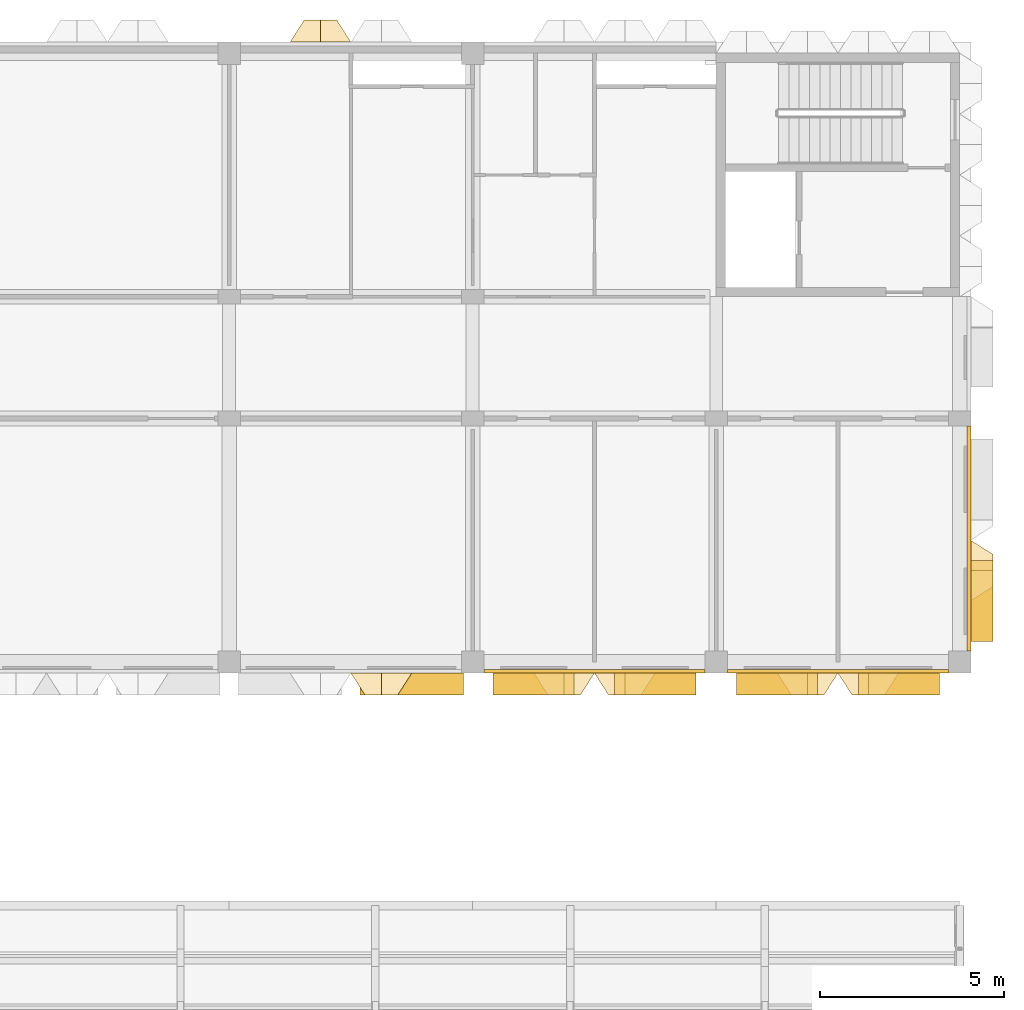
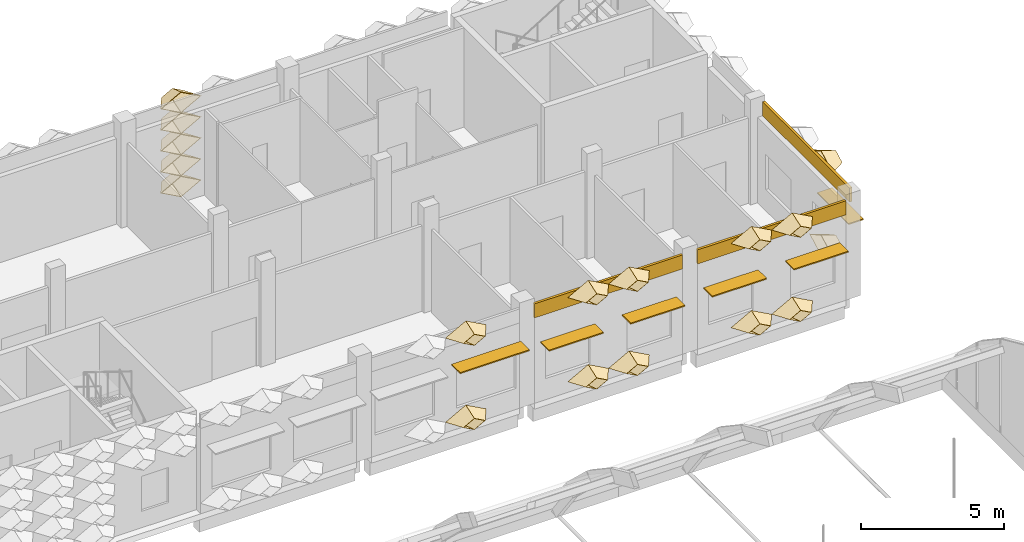
# One storey, part 97 of 102: 20 coverings, 6 shading devices.
"""IFC4 building model written with IfcOpenShell, lengths in metres."""

from ifc_helpers import new_model, entity, si_unit, direction, frame, frame_2d, origin, origin_2d, place, context, subcontext, project, spatial, rectangle, extrude, material, layer, layer_set, type_object, element, save


model = new_model("IFC4")

# Units and contexts
model_context = context("Model", 3, precision=1e-05, world=origin(), true_north=direction((0.0, 1.0)))
body_context = subcontext(model_context, "Body", "Model", "MODEL_VIEW")
ifc_project = project(units=[si_unit("LENGTHUNIT", "METRE"), si_unit("AREAUNIT", "SQUARE_METRE"), si_unit("VOLUMEUNIT", "CUBIC_METRE"), si_unit("PLANEANGLEUNIT", "RADIAN"), si_unit("MASSUNIT", "GRAM", prefix="KILO")], contexts=[model_context])

# Site, building, storey
site_placement = place(None, origin())
site = spatial("IfcSite", under=ifc_project, at=site_placement, CompositionType="ELEMENT")
building_placement = place(site_placement, origin())
building = spatial("IfcBuilding", under=site, at=building_placement, Name="Lantern Court Research Institute", CompositionType="ELEMENT")
storey_placement = place(building_placement, frame((0.0, 0.0, 9.89990234375)))
storey = spatial("IfcBuildingStorey", under=building, at=storey_placement, Name="L02", CompositionType="ELEMENT", Elevation=9.89990234375)

# Shading devices
ifc_material_1 = material(Name="Aluminium alloy 6063-T6", Category="aluminium")
ifc_layer_1 = layer(ifc_material_1, 0.050048828125)
ifc_layer_set_1 = layer_set([ifc_layer_1], Name="Aluminium alloy 6063-T6")
shading_device_type_1 = type_object("IfcShadingDeviceType", Name="Brise-soleil blade 2200 x 600 x 50 aluminium", PredefinedType="USERDEFINED", material=ifc_layer_set_1)
for number, where, z_axis, x_axis, name in (
    (1, (79.800048828125, 84.14990234375, 2.5), (0.0, 0.0, 1.0), (0.0, -1.0, 0.0), "Brise-soleil blade L02 E"),
    (2, (67.64990234375, 81.89990234375, 2.5), (0.0, 0.0, 1.0), (-1.0, 0.0, 0.0), "Brise-soleil blade L02 S"),
    (3, (70.949951171875, 81.89990234375, 2.5), (0.0, 0.0, 1.0), (-1.0, 0.0, 0.0), "Brise-soleil blade L02 S"),
    (4, (74.25, 81.89990234375, 2.5), (0.0, 0.0, 1.0), (-1.0, 0.0, 0.0), "Brise-soleil blade L02 S"),
    (5, (77.550048828125, 81.89990234375, 2.5), (0.0, 0.0, 1.0), (-1.0, 0.0, 0.0), "Brise-soleil blade L02 S"),
):
    element("IfcShadingDevice", number, at=place(storey_placement, frame(where, z_axis=z_axis, x_axis=x_axis)), inside=storey, type_object=shading_device_type_1, Name=name, ObjectType="LOUVRE", PredefinedType="USERDEFINED", context=body_context, shape_type="SweptSolid", body=[
        extrude(rectangle(XDim=2.199951171875, YDim=0.60009765625, at=origin_2d()), origin(), (0.0, 0.0, 1.0), 0.050048828125),
    ])
ifc_material_2 = material(Name="Aluminium alloy 6063-T6", Category="aluminium")
ifc_layer_2 = layer(ifc_material_2, 0.050048828125)
ifc_layer_set_2 = layer_set([ifc_layer_2], Name="Aluminium alloy 6063-T6")
shading_device_type_2 = type_object("IfcShadingDeviceType", Name="Brise-soleil blade 2800 x 600 x 50 aluminium", PredefinedType="USERDEFINED", material=ifc_layer_set_2)
shading_device_placement = place(storey_placement, frame((64.35009765625, 81.89990234375, 2.80029296875), z_axis=(0.0, 0.0, 1.0), x_axis=(-1.0, 0.0, 0.0)))
element("IfcShadingDevice", 6, at=shading_device_placement, inside=storey, type_object=shading_device_type_2, Name="Brise-soleil blade L02 S", ObjectType="LOUVRE", PredefinedType="USERDEFINED", context=body_context, shape_type="SweptSolid", body=[
    extrude(rectangle(XDim=2.800048828125, YDim=0.60009765625, at=origin_2d()), origin(), (0.0, 0.0, 1.0), 0.050048828125),
])

# Coverings
ifc_material_3 = material(Name="Aluminium composite panel with mineral wool insulation", Category="aluminium")
ifc_layer_3 = layer(ifc_material_3, 0.10009765625)
ifc_layer_set_3 = layer_set([ifc_layer_3], Name="Aluminium composite panel with mineral wool insulation")
covering_type_1 = type_object("IfcCoveringType", Name="Edge fascia panel 100 aluminium faced", PredefinedType="CLADDING", material=ifc_layer_set_3)
covering_1_placement = place(storey_placement, frame((79.449951171875, 88.89990234375, 3.650146484375), z_axis=(0.0, 0.0, 1.0), x_axis=(0.0, -1.0, 0.0)))
element("IfcCovering", 7, at=covering_1_placement, inside=storey, type_object=covering_type_1, Name="Edge fascia V6E L02 01", PredefinedType="CLADDING", context=body_context, shape_type="SweptSolid", body=[
    extrude(rectangle(XDim=6.099853515625, YDim=0.10009765625, at=frame_2d((3.0498046875, 0.0))), origin(), (0.0, 0.0, 1.0), 0.599853515625),
])
for number, where, z_axis, x_axis, name in (
    (8, (72.300048828125, 82.25, 3.650146484375), (0.0, 0.0, 1.0), (-1.0, 0.0, 0.0), "Edge fascia V6S L02 09"),
    (9, (78.89990234375, 82.25, 3.650146484375), (0.0, 0.0, 1.0), (-1.0, 0.0, 0.0), "Edge fascia V6S L02 10"),
):
    element("IfcCovering", number, at=place(storey_placement, frame(where, z_axis=z_axis, x_axis=x_axis)), inside=storey, type_object=covering_type_1, Name=name, PredefinedType="CLADDING", context=body_context, shape_type="SweptSolid", body=[
        extrude(rectangle(XDim=6.0, YDim=0.10009765625, at=frame_2d((3.0, 0.0))), origin(), (0.0, 0.0, 1.0), 0.599853515625),
    ])
ifc_material_4 = material(Name="Anodised aluminium", Category="aluminium")
ifc_layer_4 = layer(ifc_material_4, 0.01611328125)
ifc_layer_set_4 = layer_set([ifc_layer_4], Name="Anodised aluminium")
covering_type_2 = type_object("IfcCoveringType", Name="Fin cassette 1650 x 900 x 600 aluminium", PredefinedType="CLADDING", material=ifc_layer_set_4)
covering_2_placement = place(storey_placement, frame((79.5, 84.97509765625, 0.4501953125), z_axis=(1.0, 0.0, 0.0), x_axis=(0.0, 1.0, 0.0)))
cartesian_point_1 = entity("IfcCartesianPoint", [0.824951171875, 0.0])
cartesian_point_2 = entity("IfcCartesianPoint", [0.79150390625, 0.0])
cartesian_point_3 = entity("IfcCartesianPoint", [0.44189453125, 0.0])
cartesian_point_4 = entity("IfcCartesianPoint", [0.43359375, 0.0])
element("IfcCovering", 10, at=covering_2_placement, inside=storey, type_object=covering_type_2, Name="Fin cassette V6E-L02 1.52", PredefinedType="CLADDING", context=body_context, shape_type="SweptSolid", body=[
    entity("IfcExtrudedAreaSolidTapered", entity("IfcArbitraryProfileDefWithVoids", "AREA", None, entity("IfcPolyline", [cartesian_point_1, entity("IfcCartesianPoint", [0.0, 0.449951171875]), entity("IfcCartesianPoint", [-0.824951171875, 0.0]), entity("IfcCartesianPoint", [0.0, -0.449951171875]), cartesian_point_1]), [entity("IfcPolyline", [cartesian_point_2, entity("IfcCartesianPoint", [0.0, 0.431884765625]), entity("IfcCartesianPoint", [-0.79150390625, 0.0]), entity("IfcCartesianPoint", [0.0, -0.431884765625]), cartesian_point_2])]), entity("IfcAxis2Placement3D", entity("IfcCartesianPoint", [0.0, 0.0, 0.0])), entity("IfcDirection", [0.0, 0.0, 1.0]), 0.60009765625, entity("IfcArbitraryProfileDefWithVoids", "AREA", None, entity("IfcPolyline", [cartesian_point_3, entity("IfcCartesianPoint", [0.0, 0.240966796875]), entity("IfcCartesianPoint", [-0.44189453125, 0.0]), entity("IfcCartesianPoint", [0.0, -0.240966796875]), cartesian_point_3]), [entity("IfcPolyline", [cartesian_point_4, entity("IfcCartesianPoint", [0.0, 0.236572265625]), entity("IfcCartesianPoint", [-0.43359375, 0.0]), entity("IfcCartesianPoint", [0.0, -0.236572265625]), cartesian_point_4])])),
])
covering_3_placement = place(storey_placement, frame((79.5, 84.97509765625, 4.050048828125), z_axis=(1.0, 0.0, 0.0), x_axis=(0.0, 1.0, 0.0)))
cartesian_point_5 = entity("IfcCartesianPoint", [0.824951171875, 0.0])
cartesian_point_6 = entity("IfcCartesianPoint", [0.79150390625, 0.0])
cartesian_point_7 = entity("IfcCartesianPoint", [0.44189453125, 0.0])
cartesian_point_8 = entity("IfcCartesianPoint", [0.43359375, 0.0])
element("IfcCovering", 11, at=covering_3_placement, inside=storey, type_object=covering_type_2, Name="Fin cassette V6E-L02 5.52", PredefinedType="CLADDING", context=body_context, shape_type="SweptSolid", body=[
    entity("IfcExtrudedAreaSolidTapered", entity("IfcArbitraryProfileDefWithVoids", "AREA", None, entity("IfcPolyline", [cartesian_point_5, entity("IfcCartesianPoint", [0.0, 0.449951171875]), entity("IfcCartesianPoint", [-0.824951171875, 0.0]), entity("IfcCartesianPoint", [0.0, -0.449951171875]), cartesian_point_5]), [entity("IfcPolyline", [cartesian_point_6, entity("IfcCartesianPoint", [0.0, 0.431884765625]), entity("IfcCartesianPoint", [-0.79150390625, 0.0]), entity("IfcCartesianPoint", [0.0, -0.431884765625]), cartesian_point_6])]), entity("IfcAxis2Placement3D", entity("IfcCartesianPoint", [0.0, 0.0, 0.0])), entity("IfcDirection", [0.0, 0.0, 1.0]), 0.60009765625, entity("IfcArbitraryProfileDefWithVoids", "AREA", None, entity("IfcPolyline", [cartesian_point_7, entity("IfcCartesianPoint", [0.0, 0.240966796875]), entity("IfcCartesianPoint", [-0.44189453125, 0.0]), entity("IfcCartesianPoint", [0.0, -0.240966796875]), cartesian_point_7]), [entity("IfcPolyline", [cartesian_point_8, entity("IfcCartesianPoint", [0.0, 0.236572265625]), entity("IfcCartesianPoint", [-0.43359375, 0.0]), entity("IfcCartesianPoint", [0.0, -0.236572265625]), cartesian_point_8])])),
])
covering_4_placement = place(storey_placement, frame((61.875, 99.300048828125, 0.4501953125), z_axis=(0.0, 1.0, 0.0), x_axis=(-1.0, 0.0, 0.0)))
cartesian_point_9 = entity("IfcCartesianPoint", [0.824951171875, 0.0])
cartesian_point_10 = entity("IfcCartesianPoint", [0.79150390625, 0.0])
cartesian_point_11 = entity("IfcCartesianPoint", [0.44189453125, 0.0])
cartesian_point_12 = entity("IfcCartesianPoint", [0.43359375, 0.0])
element("IfcCovering", 12, at=covering_4_placement, inside=storey, type_object=covering_type_2, Name="Fin cassette V6N-L02 1.38", PredefinedType="CLADDING", context=body_context, shape_type="SweptSolid", body=[
    entity("IfcExtrudedAreaSolidTapered", entity("IfcArbitraryProfileDefWithVoids", "AREA", None, entity("IfcPolyline", [cartesian_point_9, entity("IfcCartesianPoint", [0.0, 0.449951171875]), entity("IfcCartesianPoint", [-0.824951171875, 0.0]), entity("IfcCartesianPoint", [0.0, -0.449951171875]), cartesian_point_9]), [entity("IfcPolyline", [cartesian_point_10, entity("IfcCartesianPoint", [0.0, 0.431884765625]), entity("IfcCartesianPoint", [-0.79150390625, 0.0]), entity("IfcCartesianPoint", [0.0, -0.431884765625]), cartesian_point_10])]), entity("IfcAxis2Placement3D", entity("IfcCartesianPoint", [0.0, 0.0, 0.0])), entity("IfcDirection", [0.0, 0.0, 1.0]), 0.60009765625, entity("IfcArbitraryProfileDefWithVoids", "AREA", None, entity("IfcPolyline", [cartesian_point_11, entity("IfcCartesianPoint", [0.0, 0.240966796875]), entity("IfcCartesianPoint", [-0.44189453125, 0.0]), entity("IfcCartesianPoint", [0.0, -0.240966796875]), cartesian_point_11]), [entity("IfcPolyline", [cartesian_point_12, entity("IfcCartesianPoint", [0.0, 0.236572265625]), entity("IfcCartesianPoint", [-0.43359375, 0.0]), entity("IfcCartesianPoint", [0.0, -0.236572265625]), cartesian_point_12])])),
])
covering_5_placement = place(storey_placement, frame((61.875, 99.300048828125, 1.35009765625), z_axis=(0.0, 1.0, 0.0), x_axis=(-1.0, 0.0, 0.0)))
cartesian_point_13 = entity("IfcCartesianPoint", [0.824951171875, 0.0])
cartesian_point_14 = entity("IfcCartesianPoint", [0.79150390625, 0.0])
cartesian_point_15 = entity("IfcCartesianPoint", [0.44189453125, 0.0])
cartesian_point_16 = entity("IfcCartesianPoint", [0.43359375, 0.0])
element("IfcCovering", 13, at=covering_5_placement, inside=storey, type_object=covering_type_2, Name="Fin cassette V6N-L02 2.38", PredefinedType="CLADDING", context=body_context, shape_type="SweptSolid", body=[
    entity("IfcExtrudedAreaSolidTapered", entity("IfcArbitraryProfileDefWithVoids", "AREA", None, entity("IfcPolyline", [cartesian_point_13, entity("IfcCartesianPoint", [0.0, 0.449951171875]), entity("IfcCartesianPoint", [-0.824951171875, 0.0]), entity("IfcCartesianPoint", [0.0, -0.449951171875]), cartesian_point_13]), [entity("IfcPolyline", [cartesian_point_14, entity("IfcCartesianPoint", [0.0, 0.431884765625]), entity("IfcCartesianPoint", [-0.79150390625, 0.0]), entity("IfcCartesianPoint", [0.0, -0.431884765625]), cartesian_point_14])]), entity("IfcAxis2Placement3D", entity("IfcCartesianPoint", [0.0, 0.0, 0.0])), entity("IfcDirection", [0.0, 0.0, 1.0]), 0.60009765625, entity("IfcArbitraryProfileDefWithVoids", "AREA", None, entity("IfcPolyline", [cartesian_point_15, entity("IfcCartesianPoint", [0.0, 0.240966796875]), entity("IfcCartesianPoint", [-0.44189453125, 0.0]), entity("IfcCartesianPoint", [0.0, -0.240966796875]), cartesian_point_15]), [entity("IfcPolyline", [cartesian_point_16, entity("IfcCartesianPoint", [0.0, 0.236572265625]), entity("IfcCartesianPoint", [-0.43359375, 0.0]), entity("IfcCartesianPoint", [0.0, -0.236572265625]), cartesian_point_16])])),
])
covering_6_placement = place(storey_placement, frame((61.875, 99.300048828125, 2.25), z_axis=(0.0, 1.0, 0.0), x_axis=(-1.0, 0.0, 0.0)))
cartesian_point_17 = entity("IfcCartesianPoint", [0.824951171875, 0.0])
cartesian_point_18 = entity("IfcCartesianPoint", [0.79150390625, 0.0])
cartesian_point_19 = entity("IfcCartesianPoint", [0.44189453125, 0.0])
cartesian_point_20 = entity("IfcCartesianPoint", [0.43359375, 0.0])
element("IfcCovering", 14, at=covering_6_placement, inside=storey, type_object=covering_type_2, Name="Fin cassette V6N-L02 3.38", PredefinedType="CLADDING", context=body_context, shape_type="SweptSolid", body=[
    entity("IfcExtrudedAreaSolidTapered", entity("IfcArbitraryProfileDefWithVoids", "AREA", None, entity("IfcPolyline", [cartesian_point_17, entity("IfcCartesianPoint", [0.0, 0.449951171875]), entity("IfcCartesianPoint", [-0.824951171875, 0.0]), entity("IfcCartesianPoint", [0.0, -0.449951171875]), cartesian_point_17]), [entity("IfcPolyline", [cartesian_point_18, entity("IfcCartesianPoint", [0.0, 0.431884765625]), entity("IfcCartesianPoint", [-0.79150390625, 0.0]), entity("IfcCartesianPoint", [0.0, -0.431884765625]), cartesian_point_18])]), entity("IfcAxis2Placement3D", entity("IfcCartesianPoint", [0.0, 0.0, 0.0])), entity("IfcDirection", [0.0, 0.0, 1.0]), 0.60009765625, entity("IfcArbitraryProfileDefWithVoids", "AREA", None, entity("IfcPolyline", [cartesian_point_19, entity("IfcCartesianPoint", [0.0, 0.240966796875]), entity("IfcCartesianPoint", [-0.44189453125, 0.0]), entity("IfcCartesianPoint", [0.0, -0.240966796875]), cartesian_point_19]), [entity("IfcPolyline", [cartesian_point_20, entity("IfcCartesianPoint", [0.0, 0.236572265625]), entity("IfcCartesianPoint", [-0.43359375, 0.0]), entity("IfcCartesianPoint", [0.0, -0.236572265625]), cartesian_point_20])])),
])
covering_7_placement = place(storey_placement, frame((61.875, 99.300048828125, 3.150146484375), z_axis=(0.0, 1.0, 0.0), x_axis=(-1.0, 0.0, 0.0)))
cartesian_point_21 = entity("IfcCartesianPoint", [0.824951171875, 0.0])
cartesian_point_22 = entity("IfcCartesianPoint", [0.79150390625, 0.0])
cartesian_point_23 = entity("IfcCartesianPoint", [0.44189453125, 0.0])
cartesian_point_24 = entity("IfcCartesianPoint", [0.43359375, 0.0])
element("IfcCovering", 15, at=covering_7_placement, inside=storey, type_object=covering_type_2, Name="Fin cassette V6N-L02 4.38", PredefinedType="CLADDING", context=body_context, shape_type="SweptSolid", body=[
    entity("IfcExtrudedAreaSolidTapered", entity("IfcArbitraryProfileDefWithVoids", "AREA", None, entity("IfcPolyline", [cartesian_point_21, entity("IfcCartesianPoint", [0.0, 0.449951171875]), entity("IfcCartesianPoint", [-0.824951171875, 0.0]), entity("IfcCartesianPoint", [0.0, -0.449951171875]), cartesian_point_21]), [entity("IfcPolyline", [cartesian_point_22, entity("IfcCartesianPoint", [0.0, 0.431884765625]), entity("IfcCartesianPoint", [-0.79150390625, 0.0]), entity("IfcCartesianPoint", [0.0, -0.431884765625]), cartesian_point_22])]), entity("IfcAxis2Placement3D", entity("IfcCartesianPoint", [0.0, 0.0, 0.0])), entity("IfcDirection", [0.0, 0.0, 1.0]), 0.60009765625, entity("IfcArbitraryProfileDefWithVoids", "AREA", None, entity("IfcPolyline", [cartesian_point_23, entity("IfcCartesianPoint", [0.0, 0.240966796875]), entity("IfcCartesianPoint", [-0.44189453125, 0.0]), entity("IfcCartesianPoint", [0.0, -0.240966796875]), cartesian_point_23]), [entity("IfcPolyline", [cartesian_point_24, entity("IfcCartesianPoint", [0.0, 0.236572265625]), entity("IfcCartesianPoint", [-0.43359375, 0.0]), entity("IfcCartesianPoint", [0.0, -0.236572265625]), cartesian_point_24])])),
])
covering_8_placement = place(storey_placement, frame((61.875, 99.300048828125, 4.050048828125), z_axis=(0.0, 1.0, 0.0), x_axis=(-1.0, 0.0, 0.0)))
cartesian_point_25 = entity("IfcCartesianPoint", [0.824951171875, 0.0])
cartesian_point_26 = entity("IfcCartesianPoint", [0.79150390625, 0.0])
cartesian_point_27 = entity("IfcCartesianPoint", [0.44189453125, 0.0])
cartesian_point_28 = entity("IfcCartesianPoint", [0.43359375, 0.0])
element("IfcCovering", 16, at=covering_8_placement, inside=storey, type_object=covering_type_2, Name="Fin cassette V6N-L02 5.38", PredefinedType="CLADDING", context=body_context, shape_type="SweptSolid", body=[
    entity("IfcExtrudedAreaSolidTapered", entity("IfcArbitraryProfileDefWithVoids", "AREA", None, entity("IfcPolyline", [cartesian_point_25, entity("IfcCartesianPoint", [0.0, 0.449951171875]), entity("IfcCartesianPoint", [-0.824951171875, 0.0]), entity("IfcCartesianPoint", [0.0, -0.449951171875]), cartesian_point_25]), [entity("IfcPolyline", [cartesian_point_26, entity("IfcCartesianPoint", [0.0, 0.431884765625]), entity("IfcCartesianPoint", [-0.79150390625, 0.0]), entity("IfcCartesianPoint", [0.0, -0.431884765625]), cartesian_point_26])]), entity("IfcAxis2Placement3D", entity("IfcCartesianPoint", [0.0, 0.0, 0.0])), entity("IfcDirection", [0.0, 0.0, 1.0]), 0.60009765625, entity("IfcArbitraryProfileDefWithVoids", "AREA", None, entity("IfcPolyline", [cartesian_point_27, entity("IfcCartesianPoint", [0.0, 0.240966796875]), entity("IfcCartesianPoint", [-0.44189453125, 0.0]), entity("IfcCartesianPoint", [0.0, -0.240966796875]), cartesian_point_27]), [entity("IfcPolyline", [cartesian_point_28, entity("IfcCartesianPoint", [0.0, 0.236572265625]), entity("IfcCartesianPoint", [-0.43359375, 0.0]), entity("IfcCartesianPoint", [0.0, -0.236572265625]), cartesian_point_28])])),
])
covering_9_placement = place(storey_placement, frame((63.52490234375, 82.199951171875, 0.4501953125), z_axis=(0.0, -1.0, 0.0), x_axis=(1.0, 0.0, 0.0)))
cartesian_point_29 = entity("IfcCartesianPoint", [0.824951171875, 0.0])
cartesian_point_30 = entity("IfcCartesianPoint", [0.79150390625, 0.0])
cartesian_point_31 = entity("IfcCartesianPoint", [0.44189453125, 0.0])
cartesian_point_32 = entity("IfcCartesianPoint", [0.43359375, 0.0])
element("IfcCovering", 17, at=covering_9_placement, inside=storey, type_object=covering_type_2, Name="Fin cassette V6S-L02 1.39", PredefinedType="CLADDING", context=body_context, shape_type="SweptSolid", body=[
    entity("IfcExtrudedAreaSolidTapered", entity("IfcArbitraryProfileDefWithVoids", "AREA", None, entity("IfcPolyline", [cartesian_point_29, entity("IfcCartesianPoint", [0.0, 0.449951171875]), entity("IfcCartesianPoint", [-0.824951171875, 0.0]), entity("IfcCartesianPoint", [0.0, -0.449951171875]), cartesian_point_29]), [entity("IfcPolyline", [cartesian_point_30, entity("IfcCartesianPoint", [0.0, 0.431884765625]), entity("IfcCartesianPoint", [-0.79150390625, 0.0]), entity("IfcCartesianPoint", [0.0, -0.431884765625]), cartesian_point_30])]), entity("IfcAxis2Placement3D", entity("IfcCartesianPoint", [0.0, 0.0, 0.0])), entity("IfcDirection", [0.0, 0.0, 1.0]), 0.60009765625, entity("IfcArbitraryProfileDefWithVoids", "AREA", None, entity("IfcPolyline", [cartesian_point_31, entity("IfcCartesianPoint", [0.0, 0.240966796875]), entity("IfcCartesianPoint", [-0.44189453125, 0.0]), entity("IfcCartesianPoint", [0.0, -0.240966796875]), cartesian_point_31]), [entity("IfcPolyline", [cartesian_point_32, entity("IfcCartesianPoint", [0.0, 0.236572265625]), entity("IfcCartesianPoint", [-0.43359375, 0.0]), entity("IfcCartesianPoint", [0.0, -0.236572265625]), cartesian_point_32])])),
])
covering_10_placement = place(storey_placement, frame((68.47509765625, 82.199951171875, 0.4501953125), z_axis=(0.0, -1.0, 0.0), x_axis=(1.0, 0.0, 0.0)))
cartesian_point_33 = entity("IfcCartesianPoint", [0.824951171875, 0.0])
cartesian_point_34 = entity("IfcCartesianPoint", [0.79150390625, 0.0])
cartesian_point_35 = entity("IfcCartesianPoint", [0.44189453125, 0.0])
cartesian_point_36 = entity("IfcCartesianPoint", [0.43359375, 0.0])
element("IfcCovering", 18, at=covering_10_placement, inside=storey, type_object=covering_type_2, Name="Fin cassette V6S-L02 1.42", PredefinedType="CLADDING", context=body_context, shape_type="SweptSolid", body=[
    entity("IfcExtrudedAreaSolidTapered", entity("IfcArbitraryProfileDefWithVoids", "AREA", None, entity("IfcPolyline", [cartesian_point_33, entity("IfcCartesianPoint", [0.0, 0.449951171875]), entity("IfcCartesianPoint", [-0.824951171875, 0.0]), entity("IfcCartesianPoint", [0.0, -0.449951171875]), cartesian_point_33]), [entity("IfcPolyline", [cartesian_point_34, entity("IfcCartesianPoint", [0.0, 0.431884765625]), entity("IfcCartesianPoint", [-0.79150390625, 0.0]), entity("IfcCartesianPoint", [0.0, -0.431884765625]), cartesian_point_34])]), entity("IfcAxis2Placement3D", entity("IfcCartesianPoint", [0.0, 0.0, 0.0])), entity("IfcDirection", [0.0, 0.0, 1.0]), 0.60009765625, entity("IfcArbitraryProfileDefWithVoids", "AREA", None, entity("IfcPolyline", [cartesian_point_35, entity("IfcCartesianPoint", [0.0, 0.240966796875]), entity("IfcCartesianPoint", [-0.44189453125, 0.0]), entity("IfcCartesianPoint", [0.0, -0.240966796875]), cartesian_point_35]), [entity("IfcPolyline", [cartesian_point_36, entity("IfcCartesianPoint", [0.0, 0.236572265625]), entity("IfcCartesianPoint", [-0.43359375, 0.0]), entity("IfcCartesianPoint", [0.0, -0.236572265625]), cartesian_point_36])])),
])
covering_11_placement = place(storey_placement, frame((70.125, 82.199951171875, 0.4501953125), z_axis=(0.0, -1.0, 0.0), x_axis=(1.0, 0.0, 0.0)))
cartesian_point_37 = entity("IfcCartesianPoint", [0.824951171875, 0.0])
cartesian_point_38 = entity("IfcCartesianPoint", [0.79150390625, 0.0])
cartesian_point_39 = entity("IfcCartesianPoint", [0.44189453125, 0.0])
cartesian_point_40 = entity("IfcCartesianPoint", [0.43359375, 0.0])
element("IfcCovering", 19, at=covering_11_placement, inside=storey, type_object=covering_type_2, Name="Fin cassette V6S-L02 1.43", PredefinedType="CLADDING", context=body_context, shape_type="SweptSolid", body=[
    entity("IfcExtrudedAreaSolidTapered", entity("IfcArbitraryProfileDefWithVoids", "AREA", None, entity("IfcPolyline", [cartesian_point_37, entity("IfcCartesianPoint", [0.0, 0.449951171875]), entity("IfcCartesianPoint", [-0.824951171875, 0.0]), entity("IfcCartesianPoint", [0.0, -0.449951171875]), cartesian_point_37]), [entity("IfcPolyline", [cartesian_point_38, entity("IfcCartesianPoint", [0.0, 0.431884765625]), entity("IfcCartesianPoint", [-0.79150390625, 0.0]), entity("IfcCartesianPoint", [0.0, -0.431884765625]), cartesian_point_38])]), entity("IfcAxis2Placement3D", entity("IfcCartesianPoint", [0.0, 0.0, 0.0])), entity("IfcDirection", [0.0, 0.0, 1.0]), 0.60009765625, entity("IfcArbitraryProfileDefWithVoids", "AREA", None, entity("IfcPolyline", [cartesian_point_39, entity("IfcCartesianPoint", [0.0, 0.240966796875]), entity("IfcCartesianPoint", [-0.44189453125, 0.0]), entity("IfcCartesianPoint", [0.0, -0.240966796875]), cartesian_point_39]), [entity("IfcPolyline", [cartesian_point_40, entity("IfcCartesianPoint", [0.0, 0.236572265625]), entity("IfcCartesianPoint", [-0.43359375, 0.0]), entity("IfcCartesianPoint", [0.0, -0.236572265625]), cartesian_point_40])])),
])
covering_12_placement = place(storey_placement, frame((75.074951171875, 82.199951171875, 0.4501953125), z_axis=(0.0, -1.0, 0.0), x_axis=(1.0, 0.0, 0.0)))
cartesian_point_41 = entity("IfcCartesianPoint", [0.824951171875, 0.0])
cartesian_point_42 = entity("IfcCartesianPoint", [0.79150390625, 0.0])
cartesian_point_43 = entity("IfcCartesianPoint", [0.44189453125, 0.0])
cartesian_point_44 = entity("IfcCartesianPoint", [0.43359375, 0.0])
element("IfcCovering", 20, at=covering_12_placement, inside=storey, type_object=covering_type_2, Name="Fin cassette V6S-L02 1.46", PredefinedType="CLADDING", context=body_context, shape_type="SweptSolid", body=[
    entity("IfcExtrudedAreaSolidTapered", entity("IfcArbitraryProfileDefWithVoids", "AREA", None, entity("IfcPolyline", [cartesian_point_41, entity("IfcCartesianPoint", [0.0, 0.449951171875]), entity("IfcCartesianPoint", [-0.824951171875, 0.0]), entity("IfcCartesianPoint", [0.0, -0.449951171875]), cartesian_point_41]), [entity("IfcPolyline", [cartesian_point_42, entity("IfcCartesianPoint", [0.0, 0.431884765625]), entity("IfcCartesianPoint", [-0.79150390625, 0.0]), entity("IfcCartesianPoint", [0.0, -0.431884765625]), cartesian_point_42])]), entity("IfcAxis2Placement3D", entity("IfcCartesianPoint", [0.0, 0.0, 0.0])), entity("IfcDirection", [0.0, 0.0, 1.0]), 0.60009765625, entity("IfcArbitraryProfileDefWithVoids", "AREA", None, entity("IfcPolyline", [cartesian_point_43, entity("IfcCartesianPoint", [0.0, 0.240966796875]), entity("IfcCartesianPoint", [-0.44189453125, 0.0]), entity("IfcCartesianPoint", [0.0, -0.240966796875]), cartesian_point_43]), [entity("IfcPolyline", [cartesian_point_44, entity("IfcCartesianPoint", [0.0, 0.236572265625]), entity("IfcCartesianPoint", [-0.43359375, 0.0]), entity("IfcCartesianPoint", [0.0, -0.236572265625]), cartesian_point_44])])),
])
covering_13_placement = place(storey_placement, frame((76.72509765625, 82.199951171875, 0.4501953125), z_axis=(0.0, -1.0, 0.0), x_axis=(1.0, 0.0, 0.0)))
cartesian_point_45 = entity("IfcCartesianPoint", [0.824951171875, 0.0])
cartesian_point_46 = entity("IfcCartesianPoint", [0.79150390625, 0.0])
cartesian_point_47 = entity("IfcCartesianPoint", [0.44189453125, 0.0])
cartesian_point_48 = entity("IfcCartesianPoint", [0.43359375, 0.0])
element("IfcCovering", 21, at=covering_13_placement, inside=storey, type_object=covering_type_2, Name="Fin cassette V6S-L02 1.47", PredefinedType="CLADDING", context=body_context, shape_type="SweptSolid", body=[
    entity("IfcExtrudedAreaSolidTapered", entity("IfcArbitraryProfileDefWithVoids", "AREA", None, entity("IfcPolyline", [cartesian_point_45, entity("IfcCartesianPoint", [0.0, 0.449951171875]), entity("IfcCartesianPoint", [-0.824951171875, 0.0]), entity("IfcCartesianPoint", [0.0, -0.449951171875]), cartesian_point_45]), [entity("IfcPolyline", [cartesian_point_46, entity("IfcCartesianPoint", [0.0, 0.431884765625]), entity("IfcCartesianPoint", [-0.79150390625, 0.0]), entity("IfcCartesianPoint", [0.0, -0.431884765625]), cartesian_point_46])]), entity("IfcAxis2Placement3D", entity("IfcCartesianPoint", [0.0, 0.0, 0.0])), entity("IfcDirection", [0.0, 0.0, 1.0]), 0.60009765625, entity("IfcArbitraryProfileDefWithVoids", "AREA", None, entity("IfcPolyline", [cartesian_point_47, entity("IfcCartesianPoint", [0.0, 0.240966796875]), entity("IfcCartesianPoint", [-0.44189453125, 0.0]), entity("IfcCartesianPoint", [0.0, -0.240966796875]), cartesian_point_47]), [entity("IfcPolyline", [cartesian_point_48, entity("IfcCartesianPoint", [0.0, 0.236572265625]), entity("IfcCartesianPoint", [-0.43359375, 0.0]), entity("IfcCartesianPoint", [0.0, -0.236572265625]), cartesian_point_48])])),
])
covering_14_placement = place(storey_placement, frame((63.52490234375, 82.199951171875, 4.050048828125), z_axis=(0.0, -1.0, 0.0), x_axis=(1.0, 0.0, 0.0)))
cartesian_point_49 = entity("IfcCartesianPoint", [0.824951171875, 0.0])
cartesian_point_50 = entity("IfcCartesianPoint", [0.79150390625, 0.0])
cartesian_point_51 = entity("IfcCartesianPoint", [0.44189453125, 0.0])
cartesian_point_52 = entity("IfcCartesianPoint", [0.43359375, 0.0])
element("IfcCovering", 22, at=covering_14_placement, inside=storey, type_object=covering_type_2, Name="Fin cassette V6S-L02 5.39", PredefinedType="CLADDING", context=body_context, shape_type="SweptSolid", body=[
    entity("IfcExtrudedAreaSolidTapered", entity("IfcArbitraryProfileDefWithVoids", "AREA", None, entity("IfcPolyline", [cartesian_point_49, entity("IfcCartesianPoint", [0.0, 0.449951171875]), entity("IfcCartesianPoint", [-0.824951171875, 0.0]), entity("IfcCartesianPoint", [0.0, -0.449951171875]), cartesian_point_49]), [entity("IfcPolyline", [cartesian_point_50, entity("IfcCartesianPoint", [0.0, 0.431884765625]), entity("IfcCartesianPoint", [-0.79150390625, 0.0]), entity("IfcCartesianPoint", [0.0, -0.431884765625]), cartesian_point_50])]), entity("IfcAxis2Placement3D", entity("IfcCartesianPoint", [0.0, 0.0, 0.0])), entity("IfcDirection", [0.0, 0.0, 1.0]), 0.60009765625, entity("IfcArbitraryProfileDefWithVoids", "AREA", None, entity("IfcPolyline", [cartesian_point_51, entity("IfcCartesianPoint", [0.0, 0.240966796875]), entity("IfcCartesianPoint", [-0.44189453125, 0.0]), entity("IfcCartesianPoint", [0.0, -0.240966796875]), cartesian_point_51]), [entity("IfcPolyline", [cartesian_point_52, entity("IfcCartesianPoint", [0.0, 0.236572265625]), entity("IfcCartesianPoint", [-0.43359375, 0.0]), entity("IfcCartesianPoint", [0.0, -0.236572265625]), cartesian_point_52])])),
])
covering_15_placement = place(storey_placement, frame((68.47509765625, 82.199951171875, 4.050048828125), z_axis=(0.0, -1.0, 0.0), x_axis=(1.0, 0.0, 0.0)))
cartesian_point_53 = entity("IfcCartesianPoint", [0.824951171875, 0.0])
cartesian_point_54 = entity("IfcCartesianPoint", [0.79150390625, 0.0])
cartesian_point_55 = entity("IfcCartesianPoint", [0.44189453125, 0.0])
cartesian_point_56 = entity("IfcCartesianPoint", [0.43359375, 0.0])
element("IfcCovering", 23, at=covering_15_placement, inside=storey, type_object=covering_type_2, Name="Fin cassette V6S-L02 5.42", PredefinedType="CLADDING", context=body_context, shape_type="SweptSolid", body=[
    entity("IfcExtrudedAreaSolidTapered", entity("IfcArbitraryProfileDefWithVoids", "AREA", None, entity("IfcPolyline", [cartesian_point_53, entity("IfcCartesianPoint", [0.0, 0.449951171875]), entity("IfcCartesianPoint", [-0.824951171875, 0.0]), entity("IfcCartesianPoint", [0.0, -0.449951171875]), cartesian_point_53]), [entity("IfcPolyline", [cartesian_point_54, entity("IfcCartesianPoint", [0.0, 0.431884765625]), entity("IfcCartesianPoint", [-0.79150390625, 0.0]), entity("IfcCartesianPoint", [0.0, -0.431884765625]), cartesian_point_54])]), entity("IfcAxis2Placement3D", entity("IfcCartesianPoint", [0.0, 0.0, 0.0])), entity("IfcDirection", [0.0, 0.0, 1.0]), 0.60009765625, entity("IfcArbitraryProfileDefWithVoids", "AREA", None, entity("IfcPolyline", [cartesian_point_55, entity("IfcCartesianPoint", [0.0, 0.240966796875]), entity("IfcCartesianPoint", [-0.44189453125, 0.0]), entity("IfcCartesianPoint", [0.0, -0.240966796875]), cartesian_point_55]), [entity("IfcPolyline", [cartesian_point_56, entity("IfcCartesianPoint", [0.0, 0.236572265625]), entity("IfcCartesianPoint", [-0.43359375, 0.0]), entity("IfcCartesianPoint", [0.0, -0.236572265625]), cartesian_point_56])])),
])
covering_16_placement = place(storey_placement, frame((70.125, 82.199951171875, 4.050048828125), z_axis=(0.0, -1.0, 0.0), x_axis=(1.0, 0.0, 0.0)))
cartesian_point_57 = entity("IfcCartesianPoint", [0.824951171875, 0.0])
cartesian_point_58 = entity("IfcCartesianPoint", [0.79150390625, 0.0])
cartesian_point_59 = entity("IfcCartesianPoint", [0.44189453125, 0.0])
cartesian_point_60 = entity("IfcCartesianPoint", [0.43359375, 0.0])
element("IfcCovering", 24, at=covering_16_placement, inside=storey, type_object=covering_type_2, Name="Fin cassette V6S-L02 5.43", PredefinedType="CLADDING", context=body_context, shape_type="SweptSolid", body=[
    entity("IfcExtrudedAreaSolidTapered", entity("IfcArbitraryProfileDefWithVoids", "AREA", None, entity("IfcPolyline", [cartesian_point_57, entity("IfcCartesianPoint", [0.0, 0.449951171875]), entity("IfcCartesianPoint", [-0.824951171875, 0.0]), entity("IfcCartesianPoint", [0.0, -0.449951171875]), cartesian_point_57]), [entity("IfcPolyline", [cartesian_point_58, entity("IfcCartesianPoint", [0.0, 0.431884765625]), entity("IfcCartesianPoint", [-0.79150390625, 0.0]), entity("IfcCartesianPoint", [0.0, -0.431884765625]), cartesian_point_58])]), entity("IfcAxis2Placement3D", entity("IfcCartesianPoint", [0.0, 0.0, 0.0])), entity("IfcDirection", [0.0, 0.0, 1.0]), 0.60009765625, entity("IfcArbitraryProfileDefWithVoids", "AREA", None, entity("IfcPolyline", [cartesian_point_59, entity("IfcCartesianPoint", [0.0, 0.240966796875]), entity("IfcCartesianPoint", [-0.44189453125, 0.0]), entity("IfcCartesianPoint", [0.0, -0.240966796875]), cartesian_point_59]), [entity("IfcPolyline", [cartesian_point_60, entity("IfcCartesianPoint", [0.0, 0.236572265625]), entity("IfcCartesianPoint", [-0.43359375, 0.0]), entity("IfcCartesianPoint", [0.0, -0.236572265625]), cartesian_point_60])])),
])
covering_17_placement = place(storey_placement, frame((75.074951171875, 82.199951171875, 4.050048828125), z_axis=(0.0, -1.0, 0.0), x_axis=(1.0, 0.0, 0.0)))
cartesian_point_61 = entity("IfcCartesianPoint", [0.824951171875, 0.0])
cartesian_point_62 = entity("IfcCartesianPoint", [0.79150390625, 0.0])
cartesian_point_63 = entity("IfcCartesianPoint", [0.44189453125, 0.0])
cartesian_point_64 = entity("IfcCartesianPoint", [0.43359375, 0.0])
element("IfcCovering", 25, at=covering_17_placement, inside=storey, type_object=covering_type_2, Name="Fin cassette V6S-L02 5.46", PredefinedType="CLADDING", context=body_context, shape_type="SweptSolid", body=[
    entity("IfcExtrudedAreaSolidTapered", entity("IfcArbitraryProfileDefWithVoids", "AREA", None, entity("IfcPolyline", [cartesian_point_61, entity("IfcCartesianPoint", [0.0, 0.449951171875]), entity("IfcCartesianPoint", [-0.824951171875, 0.0]), entity("IfcCartesianPoint", [0.0, -0.449951171875]), cartesian_point_61]), [entity("IfcPolyline", [cartesian_point_62, entity("IfcCartesianPoint", [0.0, 0.431884765625]), entity("IfcCartesianPoint", [-0.79150390625, 0.0]), entity("IfcCartesianPoint", [0.0, -0.431884765625]), cartesian_point_62])]), entity("IfcAxis2Placement3D", entity("IfcCartesianPoint", [0.0, 0.0, 0.0])), entity("IfcDirection", [0.0, 0.0, 1.0]), 0.60009765625, entity("IfcArbitraryProfileDefWithVoids", "AREA", None, entity("IfcPolyline", [cartesian_point_63, entity("IfcCartesianPoint", [0.0, 0.240966796875]), entity("IfcCartesianPoint", [-0.44189453125, 0.0]), entity("IfcCartesianPoint", [0.0, -0.240966796875]), cartesian_point_63]), [entity("IfcPolyline", [cartesian_point_64, entity("IfcCartesianPoint", [0.0, 0.236572265625]), entity("IfcCartesianPoint", [-0.43359375, 0.0]), entity("IfcCartesianPoint", [0.0, -0.236572265625]), cartesian_point_64])])),
])
covering_18_placement = place(storey_placement, frame((76.72509765625, 82.199951171875, 4.050048828125), z_axis=(0.0, -1.0, 0.0), x_axis=(1.0, 0.0, 0.0)))
cartesian_point_65 = entity("IfcCartesianPoint", [0.824951171875, 0.0])
cartesian_point_66 = entity("IfcCartesianPoint", [0.79150390625, 0.0])
cartesian_point_67 = entity("IfcCartesianPoint", [0.44189453125, 0.0])
cartesian_point_68 = entity("IfcCartesianPoint", [0.43359375, 0.0])
element("IfcCovering", 26, at=covering_18_placement, inside=storey, type_object=covering_type_2, Name="Fin cassette V6S-L02 5.47", PredefinedType="CLADDING", context=body_context, shape_type="SweptSolid", body=[
    entity("IfcExtrudedAreaSolidTapered", entity("IfcArbitraryProfileDefWithVoids", "AREA", None, entity("IfcPolyline", [cartesian_point_65, entity("IfcCartesianPoint", [0.0, 0.449951171875]), entity("IfcCartesianPoint", [-0.824951171875, 0.0]), entity("IfcCartesianPoint", [0.0, -0.449951171875]), cartesian_point_65]), [entity("IfcPolyline", [cartesian_point_66, entity("IfcCartesianPoint", [0.0, 0.431884765625]), entity("IfcCartesianPoint", [-0.79150390625, 0.0]), entity("IfcCartesianPoint", [0.0, -0.431884765625]), cartesian_point_66])]), entity("IfcAxis2Placement3D", entity("IfcCartesianPoint", [0.0, 0.0, 0.0])), entity("IfcDirection", [0.0, 0.0, 1.0]), 0.60009765625, entity("IfcArbitraryProfileDefWithVoids", "AREA", None, entity("IfcPolyline", [cartesian_point_67, entity("IfcCartesianPoint", [0.0, 0.240966796875]), entity("IfcCartesianPoint", [-0.44189453125, 0.0]), entity("IfcCartesianPoint", [0.0, -0.240966796875]), cartesian_point_67]), [entity("IfcPolyline", [cartesian_point_68, entity("IfcCartesianPoint", [0.0, 0.236572265625]), entity("IfcCartesianPoint", [-0.43359375, 0.0]), entity("IfcCartesianPoint", [0.0, -0.236572265625]), cartesian_point_68])])),
])

save(model, "model.ifc")
